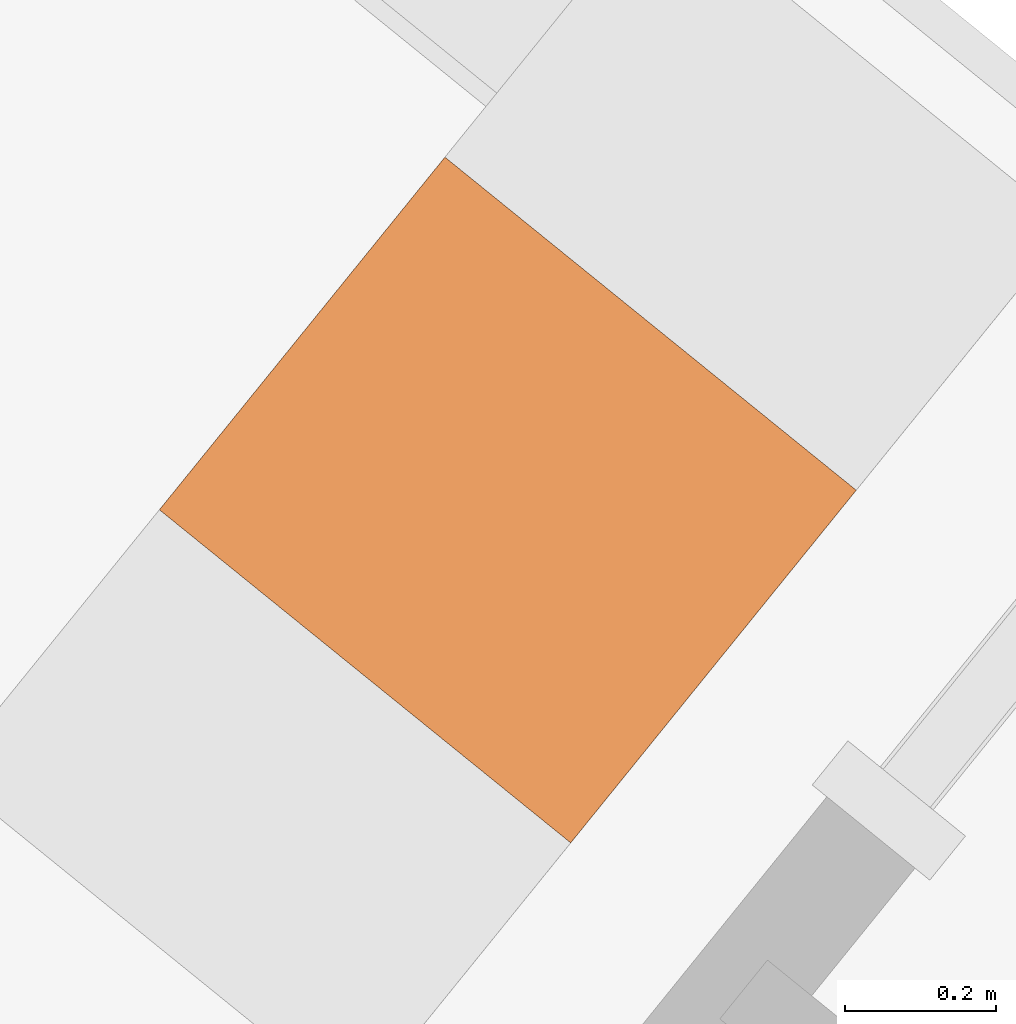
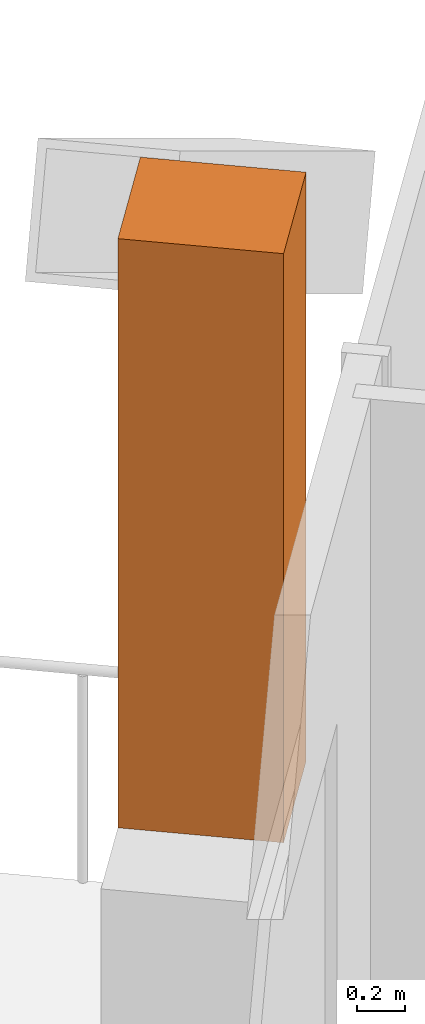
# One storey, part 21 of 21: 1 geographic element.
"""IFC4 building model written with IfcOpenShell, lengths in metres."""

from ifc_helpers import new_model, si_unit, direction, frame, origin, origin_2d, place, context, subcontext, project, spatial, rectangle, extrude, source, transform, mapped, material, type_object, element, save


model = new_model("IFC4")

# Units and contexts
model_context = context("Model", 3, precision=1e-05, world=origin(), true_north=direction((0.0, 1.0)))
body_context = subcontext(model_context, "Body", "Model", "MODEL_VIEW")
ifc_project = project(units=[si_unit("LENGTHUNIT", "METRE"), si_unit("AREAUNIT", "SQUARE_METRE"), si_unit("VOLUMEUNIT", "CUBIC_METRE"), si_unit("PLANEANGLEUNIT", "RADIAN"), si_unit("MASSUNIT", "GRAM", prefix="KILO")], contexts=[model_context])

# Site, building, storey
site_placement = place(None, origin())
site = spatial("IfcSite", under=ifc_project, at=site_placement, CompositionType="ELEMENT")
building_placement = place(site_placement, origin())
building = spatial("IfcBuilding", under=site, at=building_placement, Name="Triune Harvest Tower", CompositionType="ELEMENT")
storey_placement = place(building_placement, frame((0.0, 0.0, 146.10009765625)))
storey = spatial("IfcBuildingStorey", under=building, at=storey_placement, Name="L37", CompositionType="ELEMENT", Elevation=146.10009765625)

# Geographic element
ifc_material = material(Name="TREE-1 tree")
geographic_element_type = type_object("IfcGeographicElementType", Name="TREE-1 tree", PredefinedType="USERDEFINED", material=ifc_material)
shared_shape = source(origin(), body_context, "Body", "SweptSolid", [
    extrude(rectangle(XDim=0.60009765625, YDim=0.699951171875, at=origin_2d()), origin(), (0.0, 0.0, 1.0), 3.0),
])
geographic_element_placement = place(storey_placement, frame((-11.760009765625, 20.43701171875, 1.099853515625), z_axis=(0.0, 0.0, 1.0), x_axis=(-0.629321459087, -0.777145096577, 0.0)))
element("IfcGeographicElement", 1, at=geographic_element_placement, inside=storey, type_object=geographic_element_type, Name="Tree B4-F3 L37.5a", ObjectType="TREE", PredefinedType="USERDEFINED", context=body_context, shape_type="MappedRepresentation", body=[
    mapped(shared_shape, transform((0.0, 0.0, 0.0), scale=1.0)),
])

save(model, "model.ifc")
